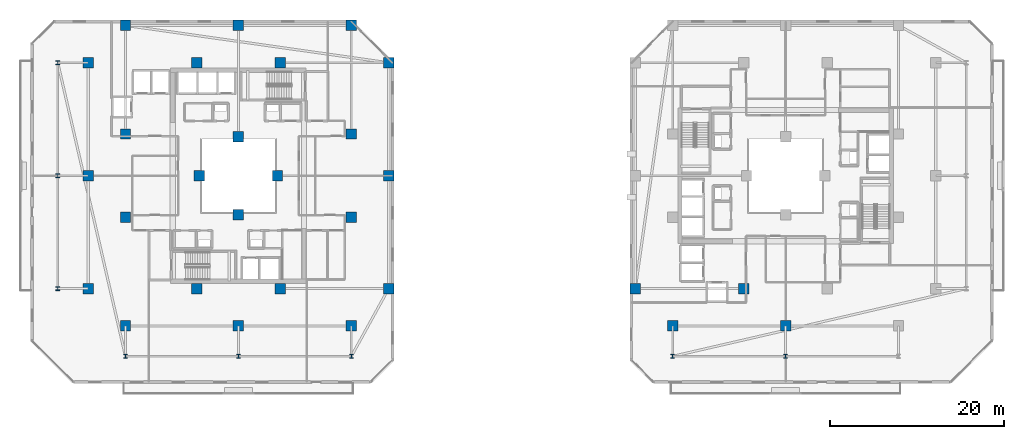
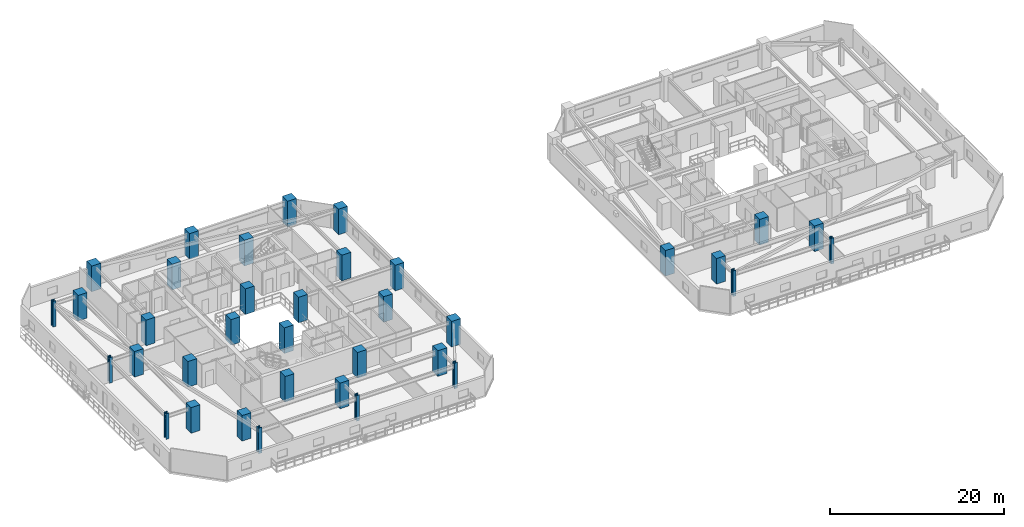
# One storey, part 1 of 34: 36 columns.
"""IFC4 building model written with IfcOpenShell, lengths in metres."""

import ifcopenshell
import ifcopenshell.guid

model = None  # the IFC model being written
_history = None  # IfcOwnerHistory: only IFC2X3 demands one
_inside = {}  # id of a spatial element -> (the spatial element, [elements in it])
_under = {}  # id of a project, library or spatial element -> (it, [spatial elements below it])
_declared = {}  # id of a project -> (the project, [libraries it declares])
_typed = {}  # id of a type object -> (the type object, [elements of that type])
_made_of = {}  # id of a material, layer set ... -> (it, [elements and type objects made of it])


def new_model(schema):
    """Start an empty IFC model of exactly this schema.

    Asked for "IFC4X3", IfcOpenShell would pick the latest addendum, in which some entities
    have other attributes; the version numbers below select the first issue.
    IFC2X3 requires an IfcOwnerHistory on every rooted entity: one is made here for all.
    """
    global model, _history
    if schema == "IFC4X3":
        model = ifcopenshell.file(schema_version=(4, 3, 0, 0))
    else:
        model = ifcopenshell.file(schema=schema)
    _inside.clear()
    _under.clear()
    _declared.clear()
    _typed.clear()
    _made_of.clear()
    _history = None
    if model.schema == "IFC2X3":
        org = make("IfcOrganization", Name="unknown")
        user = make(
            "IfcPersonAndOrganization",
            ThePerson=make("IfcPerson", FamilyName="unknown"),
            TheOrganization=org,
        )
        app = make(
            "IfcApplication",
            ApplicationDeveloper=org,
            Version="unknown",
            ApplicationFullName="unknown",
            ApplicationIdentifier="unknown",
        )
        _history = make(
            "IfcOwnerHistory",
            OwningUser=user,
            OwningApplication=app,
            ChangeAction="ADDED",
            CreationDate=0,
        )
    return model


def make(cls, **values):
    """One entity of the class cls with the attributes given. An attribute that is None is left unset."""
    return model.create_entity(
        cls, **{name: value for name, value in values.items() if value is not None}
    )


def rooted(cls, **values):
    """An entity with a GlobalId (a new one), such as an element, a storey or a relation."""
    return make(cls, GlobalId=ifcopenshell.guid.new(), OwnerHistory=_history, **values)


def si_unit(unit_type, name, prefix=None):
    """IfcSIUnit, for example si_unit("LENGTHUNIT", "METRE", prefix="MILLI")."""
    return make("IfcSIUnit", UnitType=unit_type, Prefix=prefix, Name=name)


def assignment(units):
    """IfcUnitAssignment: the units of a project."""
    return None if units is None else make("IfcUnitAssignment", Units=units)


def point(xyz):
    """IfcCartesianPoint."""
    return None if xyz is None else make("IfcCartesianPoint", Coordinates=xyz)


def direction(xyz):
    """IfcDirection."""
    return None if xyz is None else make("IfcDirection", DirectionRatios=xyz)


def frame(location, z_axis=None, x_axis=None):
    """IfcAxis2Placement3D, a coordinate frame: its origin and axes. An axis left out is left unset."""
    return make(
        "IfcAxis2Placement3D",
        Location=point(location),
        Axis=direction(z_axis),
        RefDirection=direction(x_axis),
    )


def frame_2d(location, x_axis=None):
    """IfcAxis2Placement2D, a coordinate frame in the plane: its origin and x axis."""
    return make(
        "IfcAxis2Placement2D", Location=point(location), RefDirection=direction(x_axis)
    )


def origin():
    """The frame at (0, 0, 0) with its axes left unset."""
    return frame((0.0, 0.0, 0.0))


def origin_2d():
    """The frame at (0, 0) in the plane with its x axis left unset."""
    return frame_2d((0.0, 0.0))


def place(relative_to, where):
    """IfcLocalPlacement: puts the frame where relative to a parent placement (None: the world)."""
    return make(
        "IfcLocalPlacement", PlacementRelTo=relative_to, RelativePlacement=where
    )


def context(
    kind, dimensions, precision=None, world=None, true_north=None, identifier=None
):
    """IfcGeometricRepresentationContext, for example the 3D "Model" context."""
    return make(
        "IfcGeometricRepresentationContext",
        ContextIdentifier=identifier,
        ContextType=kind,
        CoordinateSpaceDimension=dimensions,
        Precision=precision,
        WorldCoordinateSystem=world,
        TrueNorth=true_north,
    )


def subcontext(parent, identifier, kind, view, scale=None):
    """IfcGeometricRepresentationSubContext, for example "Body" below "Model"."""
    return make(
        "IfcGeometricRepresentationSubContext",
        ContextIdentifier=identifier,
        ContextType=kind,
        ParentContext=parent,
        TargetScale=scale,
        TargetView=view,
    )


def project(units=None, contexts=None):
    """IfcProject with its units and contexts."""
    return rooted(
        "IfcProject",
        Name="project",
        RepresentationContexts=contexts,
        UnitsInContext=assignment(units),
    )


def spatial(cls, under=None, at=None, **own):
    """A site, building, storey or space (cls), placed at a placement, below another one or the project."""
    s = rooted(cls, ObjectPlacement=at, **own)
    if under is not None:
        _under.setdefault(under.id(), (under, []))[1].append(s)
    return s


def profile(cls, at=None, kind="AREA", **sizes):
    """A parametric profile (cls). Its sizes go by their IFC names, for example OverallWidth=200.0."""
    return make(cls, ProfileType=kind, Position=at, **sizes)


def rectangle(**sizes):
    """IfcRectangleProfileDef."""
    return profile("IfcRectangleProfileDef", **sizes)


def i_section(**sizes):
    """IfcIShapeProfileDef."""
    return profile("IfcIShapeProfileDef", **sizes)


def extrude(swept, where, along, depth):
    """IfcExtrudedAreaSolid: the profile swept, set in the frame where, extruded along a direction by depth."""
    return make(
        "IfcExtrudedAreaSolid",
        SweptArea=swept,
        Position=where,
        ExtrudedDirection=direction(along),
        Depth=depth,
    )


def shape(context_of_items, identifier, shape_type, items):
    """IfcShapeRepresentation: the items that make up one representation, for example the "Body"."""
    return make(
        "IfcShapeRepresentation",
        ContextOfItems=context_of_items,
        RepresentationIdentifier=identifier,
        RepresentationType=shape_type,
        Items=items,
    )


def material(Name=None, Category=None):
    """IfcMaterial."""
    return make("IfcMaterial", Name=Name, Category=Category)


def material_profile(
    of_material, cross_section, Name=None, Category=None, Priority=None
):
    """IfcMaterialProfile: a cross section and its material."""
    return make(
        "IfcMaterialProfile",
        Name=Name,
        Material=of_material,
        Profile=cross_section,
        Priority=Priority,
        Category=Category,
    )


def profile_set(profiles, Name=None, composite=None):
    """IfcMaterialProfileSet."""
    return make(
        "IfcMaterialProfileSet",
        Name=Name,
        MaterialProfiles=profiles,
        CompositeProfile=composite,
    )


def made_of(thing, what):
    """Note that an element or type object is made of a material, layer set ...; save() writes the relation."""
    if what is not None:
        _made_of.setdefault(what.id(), (what, []))[1].append(thing)
    return thing


def type_object(cls, material=None, **own):
    """A type object (cls), such as IfcWallType, which elements share."""
    return made_of(rooted(cls, **own), material)


def element(
    cls,
    number,
    at=None,
    inside=None,
    cuts=None,
    type_object=None,
    material=None,
    context=None,
    identifier="Body",
    shape_type=None,
    held_by="IfcProductDefinitionShape",
    body=None,
    shapes=None,
    **own,
):
    """One element of the class cls, such as IfcWall. Its Tag is "e" and its number.

    at: its placement. inside: the storey or other place that contains it. cuts: it is an
    opening in that element (IfcRelVoidsElement). A single representation is given by context,
    identifier, shape_type and body (its items); several are given by shapes. held_by: the class
    of the entity that holds the representations. save() writes the other relations.
    """
    e = rooted(cls, Tag="e%d" % number, ObjectPlacement=at, **own)
    if body is not None:
        shapes = [shape(context, identifier, shape_type, body)]
    if shapes is not None:
        e.Representation = make(held_by, Representations=shapes)
    if inside is not None:
        _inside.setdefault(inside.id(), (inside, []))[1].append(e)
    if cuts is not None:
        rooted(
            "IfcRelVoidsElement", RelatingBuildingElement=cuts, RelatedOpeningElement=e
        )
    if type_object is not None:
        _typed.setdefault(type_object.id(), (type_object, []))[1].append(e)
    return made_of(e, material)


def aggregate(whole, parts):
    """IfcRelAggregates: a whole, such as a stair, and the parts it consists of."""
    return rooted("IfcRelAggregates", RelatingObject=whole, RelatedObjects=parts)


def save(model, path):
    """Write the relations noted so far, then the file.

    IfcRelAggregates (storeys below a building ...), IfcRelContainedInSpatialStructure (elements
    in a storey), IfcRelDefinesByType, IfcRelAssociatesMaterial and IfcRelDeclares: one each for
    every whole, place, type object, material and project.
    """
    for whole, parts in _under.values():
        aggregate(whole, parts)
    for where, things in _inside.values():
        rooted(
            "IfcRelContainedInSpatialStructure",
            RelatedElements=things,
            RelatingStructure=where,
        )
    for kind, things in _typed.values():
        rooted("IfcRelDefinesByType", RelatedObjects=things, RelatingType=kind)
    for what, things in _made_of.values():
        rooted("IfcRelAssociatesMaterial", RelatedObjects=things, RelatingMaterial=what)
    for by, libraries in _declared.values():
        rooted("IfcRelDeclares", RelatingContext=by, RelatedDefinitions=libraries)
    model.write(path)


model = new_model("IFC4")

# Units and contexts
model_context = context("Model", 3, precision=1e-05, world=origin(), true_north=direction((0.0, 1.0)))
body_context = subcontext(model_context, "Body", "Model", "MODEL_VIEW")
ifc_project = project(units=[si_unit("LENGTHUNIT", "METRE"), si_unit("AREAUNIT", "SQUARE_METRE"), si_unit("VOLUMEUNIT", "CUBIC_METRE"), si_unit("PLANEANGLEUNIT", "RADIAN"), si_unit("MASSUNIT", "GRAM", prefix="KILO")], contexts=[model_context])

# Site, building, storey
site_placement = place(None, origin())
site = spatial("IfcSite", under=ifc_project, at=site_placement, CompositionType="ELEMENT")
building_placement = place(site_placement, origin())
building = spatial("IfcBuilding", under=site, at=building_placement, Name="Thornwick Lancets Civic Towers", CompositionType="ELEMENT")
storey_placement = place(building_placement, frame((0.0, 0.0, 137.699951171875)))
storey = spatial("IfcBuildingStorey", under=building, at=storey_placement, Name="L36", CompositionType="ELEMENT", Elevation=137.699951171875)

# Columns
ifc_material_1 = material(Name="Concrete C60/75", Category="concrete")
ifc_material_profile_1 = material_profile(ifc_material_1, rectangle(XDim=1.199951171875, YDim=1.199951171875, at=origin_2d()), Name="RC 1200x1200")
ifc_profile_set_1 = profile_set([ifc_material_profile_1], Name="Concrete C60/75")
column_type_1 = type_object("IfcColumnType", Name="COL_RC_1200", PredefinedType="COLUMN", material=ifc_profile_set_1)
for number, where, z_axis, x_axis, name in (
    (1, (12.5, 9.699951171875, 0.0), (0.0, 0.0, 1.0), (1.0, 0.0, 0.0), "L36 Spine Mega-Column A01"),
    (2, (25.5, 9.699951171875, 0.0), (0.0, 0.0, 1.0), (1.0, 0.0, 0.0), "L36 Spine Mega-Column A02"),
    (3, (38.5, 9.699951171875, 0.0), (0.0, 0.0, 1.0), (1.0, 0.0, 0.0), "L36 Spine Mega-Column A03"),
    (4, (42.800048828125, 14.0, 0.0), (0.0, 0.0, 1.0), (1.0, 0.0, 0.0), "L36 Spine Mega-Column A04"),
    (5, (42.800048828125, 27.0, 0.0), (0.0, 0.0, 1.0), (1.0, 0.0, 0.0), "L36 Spine Mega-Column A05"),
    (6, (42.800048828125, 40.0, 0.0), (0.0, 0.0, 1.0), (1.0, 0.0, 0.0), "L36 Spine Mega-Column A06"),
    (7, (12.5, 44.300048828125, 0.0), (0.0, 0.0, 1.0), (1.0, 0.0, 0.0), "L36 Spine Mega-Column A07"),
    (8, (25.5, 44.300048828125, 0.0), (0.0, 0.0, 1.0), (1.0, 0.0, 0.0), "L36 Spine Mega-Column A08"),
    (9, (38.5, 44.300048828125, 0.0), (0.0, 0.0, 1.0), (1.0, 0.0, 0.0), "L36 Spine Mega-Column A09"),
    (10, (8.199951171875, 14.0, 0.0), (0.0, 0.0, 1.0), (1.0, 0.0, 0.0), "L36 Spine Mega-Column A10"),
    (11, (8.199951171875, 27.0, 0.0), (0.0, 0.0, 1.0), (1.0, 0.0, 0.0), "L36 Spine Mega-Column A11"),
    (12, (8.199951171875, 40.0, 0.0), (0.0, 0.0, 1.0), (1.0, 0.0, 0.0), "L36 Spine Mega-Column A12"),
    (13, (12.5, 22.199951171875, 0.0), (0.0, 0.0, 1.0), (1.0, 0.0, 0.0), "L36 Spine Mega-Column A13"),
    (14, (38.5, 22.199951171875, 0.0), (0.0, 0.0, 1.0), (1.0, 0.0, 0.0), "L36 Spine Mega-Column A14"),
    (15, (12.5, 31.800048828125, 0.0), (0.0, 0.0, 1.0), (1.0, 0.0, 0.0), "L36 Spine Mega-Column A15"),
    (16, (38.5, 31.800048828125, 0.0), (0.0, 0.0, 1.0), (1.0, 0.0, 0.0), "L36 Spine Mega-Column A16"),
    (17, (20.699951171875, 14.0, 0.0), (0.0, 0.0, 1.0), (1.0, 0.0, 0.0), "L36 Spine Mega-Column A17"),
    (18, (30.300048828125, 14.0, 0.0), (0.0, 0.0, 1.0), (1.0, 0.0, 0.0), "L36 Spine Mega-Column A18"),
    (19, (20.699951171875, 40.0, 0.0), (0.0, 0.0, 1.0), (1.0, 0.0, 0.0), "L36 Spine Mega-Column A19"),
    (20, (30.300048828125, 40.0, 0.0), (0.0, 0.0, 1.0), (1.0, 0.0, 0.0), "L36 Spine Mega-Column A20"),
    (21, (25.5, 22.5, 0.0), (0.0, 0.0, 1.0), (1.0, 0.0, 0.0), "L36 Spine Mega-Column A21"),
    (22, (25.5, 31.5, 0.0), (0.0, 0.0, 1.0), (1.0, 0.0, 0.0), "L36 Spine Mega-Column A22"),
    (23, (21.0, 27.0, 0.0), (0.0, 0.0, 1.0), (1.0, 0.0, 0.0), "L36 Spine Mega-Column A23"),
    (24, (30.0, 27.0, 0.0), (0.0, 0.0, 1.0), (1.0, 0.0, 0.0), "L36 Spine Mega-Column A24"),
    (25, (71.199951171875, 14.0, 0.0), (0.0, 0.0, 1.0), (1.0, 0.0, 0.0), "L36 Spine Mega-Column B07"),
    (26, (88.5, 9.699951171875, 0.0), (0.0, 0.0, 1.0), (1.0, 0.0, 0.0), "L36 Spine Mega-Column B11"),
    (27, (75.5, 9.699951171875, 0.0), (0.0, 0.0, 1.0), (1.0, 0.0, 0.0), "L36 Spine Mega-Column B12"),
    (28, (83.699951171875, 14.0, 0.0), (0.0, 0.0, 1.0), (1.0, 0.0, 0.0), "L36 Spine Mega-Column B15"),
):
    element("IfcColumn", number, at=place(storey_placement, frame(where, z_axis=z_axis, x_axis=x_axis)), inside=storey, type_object=column_type_1, Name=name, PredefinedType="COLUMN", context=body_context, shape_type="SweptSolid", body=[
        extrude(rectangle(XDim=1.199951171875, YDim=1.199951171875, at=origin_2d()), origin(), (0.0, 0.0, 1.0), 3.60009765625),
    ])
ifc_material_2 = material(Name="Steel S460M", Category="steel")
ifc_material_profile_2 = material_profile(ifc_material_2, i_section(OverallWidth=0.41845703125, OverallDepth=0.45556640625, WebThickness=0.0419921875, FlangeThickness=0.0673828125, FilletRadius=0.01513671875, at=origin_2d()), Name="UKC 356x406x551")
ifc_profile_set_2 = profile_set([ifc_material_profile_2], Name="Steel S460M")
column_type_2 = type_object("IfcColumnType", Name="COL_UKC_551", PredefinedType="COLUMN", material=ifc_profile_set_2)
for number, where, z_axis, x_axis, name in (
    (29, (12.5, 6.199951171875, 0.0), (0.0, 0.0, 1.0), (1.0, 0.0, 0.0), "L36 Block Perimeter Column A01"),
    (30, (25.5, 6.199951171875, 0.0), (0.0, 0.0, 1.0), (1.0, 0.0, 0.0), "L36 Block Perimeter Column A02"),
    (31, (38.5, 6.199951171875, 0.0), (0.0, 0.0, 1.0), (1.0, 0.0, 0.0), "L36 Block Perimeter Column A03"),
    (32, (4.699951171875, 14.0, 0.0), (0.0, 0.0, 1.0), (1.0, 0.0, 0.0), "L36 Block Perimeter Column A10"),
    (33, (4.699951171875, 27.0, 0.0), (0.0, 0.0, 1.0), (1.0, 0.0, 0.0), "L36 Block Perimeter Column A11"),
    (34, (4.699951171875, 40.0, 0.0), (0.0, 0.0, 1.0), (1.0, 0.0, 0.0), "L36 Block Perimeter Column A12"),
    (35, (88.5, 6.199951171875, 0.0), (0.0, 0.0, 1.0), (1.0, 0.0, 0.0), "L36 Block Perimeter Column B11"),
    (36, (75.5, 6.199951171875, 0.0), (0.0, 0.0, 1.0), (1.0, 0.0, 0.0), "L36 Block Perimeter Column B12"),
):
    element("IfcColumn", number, at=place(storey_placement, frame(where, z_axis=z_axis, x_axis=x_axis)), inside=storey, type_object=column_type_2, Name=name, PredefinedType="COLUMN", context=body_context, shape_type="SweptSolid", body=[
        extrude(i_section(OverallWidth=0.41845703125, OverallDepth=0.45556640625, WebThickness=0.0419921875, FlangeThickness=0.0673828125, FilletRadius=0.01513671875, at=origin_2d()), origin(), (0.0, 0.0, 1.0), 3.60009765625),
    ])

save(model, "model.ifc")
